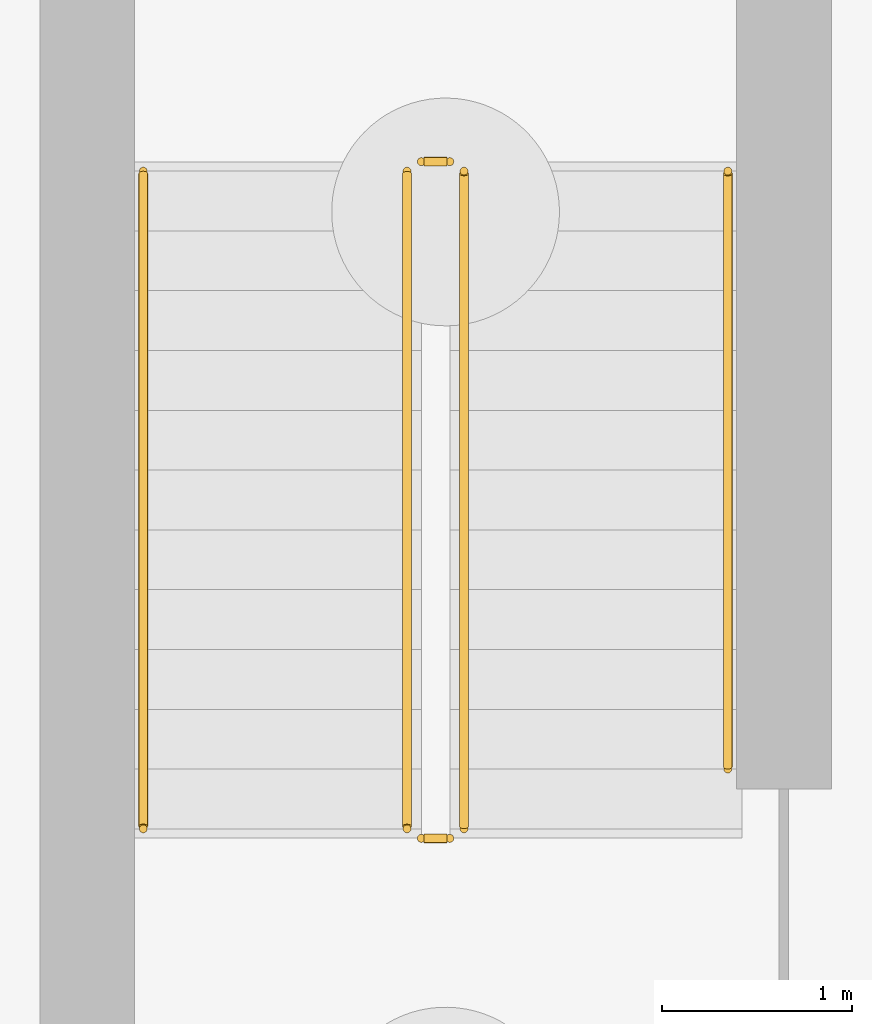
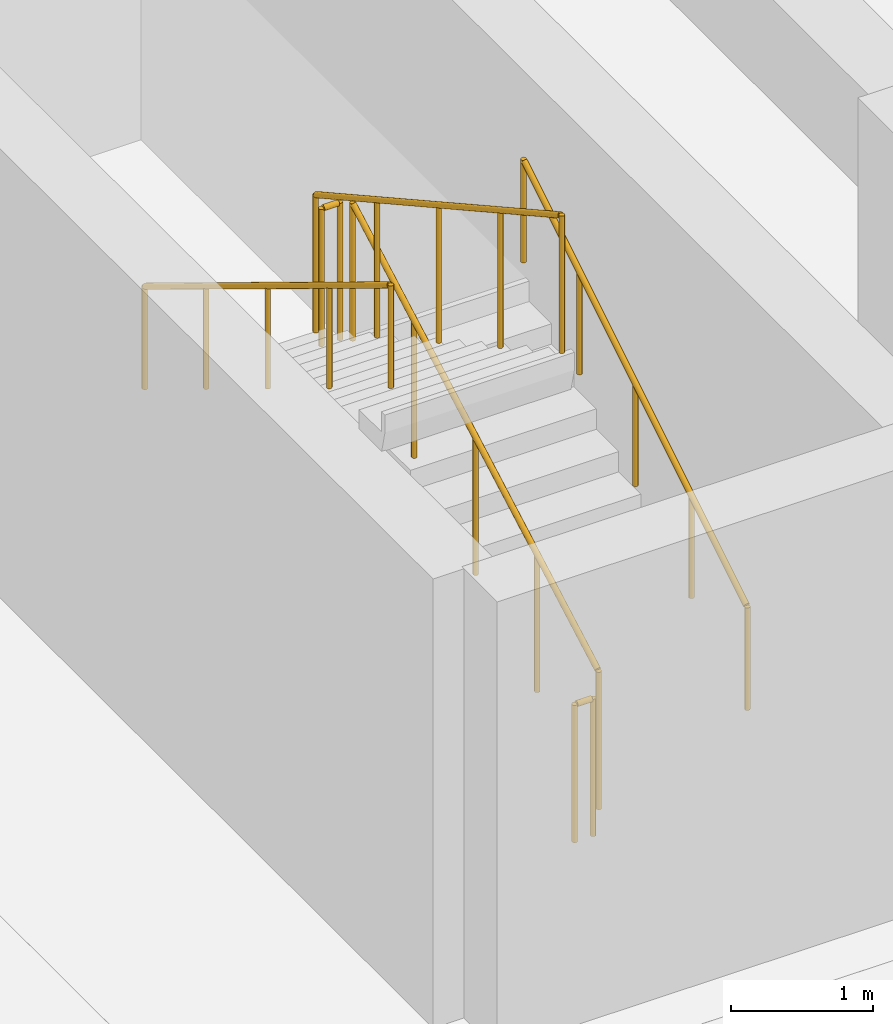
# One storey, part 39 of 39: 6 railings.
"""IFC4 building model written with IfcOpenShell, lengths in metres."""

from ifc_helpers import new_model, si_unit, direction, frame, origin, origin_2d, place, context, subcontext, project, spatial, circle, extrude, material, type_object, element, save


model = new_model("IFC4")

# Units and contexts
model_context = context("Model", 3, precision=1e-05, world=origin(), true_north=direction((0.0, 1.0)))
body_context = subcontext(model_context, "Body", "Model", "MODEL_VIEW")
ifc_project = project(units=[si_unit("LENGTHUNIT", "METRE"), si_unit("AREAUNIT", "SQUARE_METRE"), si_unit("VOLUMEUNIT", "CUBIC_METRE"), si_unit("PLANEANGLEUNIT", "RADIAN"), si_unit("MASSUNIT", "GRAM", prefix="KILO")], contexts=[model_context])

# Site, building, storey
site_placement = place(None, origin())
site = spatial("IfcSite", under=ifc_project, at=site_placement, CompositionType="ELEMENT")
building_placement = place(site_placement, origin())
building = spatial("IfcBuilding", under=site, at=building_placement, Name="Nakhvara Creek Congress Hotel", CompositionType="ELEMENT")
storey_placement = place(building_placement, frame((0.0, 0.0, -8.39990234375)))
storey = spatial("IfcBuildingStorey", under=building, at=storey_placement, Name="B2", CompositionType="ELEMENT", Elevation=-8.39990234375)

# Railings
ifc_material = material(Name="Brushed stainless steel 316L", Category="steel")
railing_type_1 = type_object("IfcRailingType", Name="RL-GUARD-1200", PredefinedType="GUARDRAIL", material=ifc_material)
railing_1_placement = place(storey_placement, frame((158.68505859375, 104.5400390625, 0.1748046875)))
element("IfcRailing", 1, at=railing_1_placement, inside=storey, type_object=railing_type_1, Name="B2 ST02 stair guard 1", PredefinedType="GUARDRAIL", context=body_context, shape_type="SweptSolid", body=[
    extrude(circle(Radius=0.02392578125, at=origin_2d()), frame((0.0, 0.012939453125, 1.18310546875), z_axis=(0.0, 0.874142748832, 0.485669079379), x_axis=(-1.0, 0.0, 0.0)), (0.0, 0.0, 1.0), 3.934326171875),
    extrude(circle(Radius=0.02099609375, at=origin_2d()), origin(), (0.0, 0.0, 1.0), 1.1806640625),
    extrude(circle(Radius=0.02099609375, at=origin_2d()), frame((0.0, 0.8662109375, 0.481201171875)), (0.0, 0.0, 1.0), 1.1806640625),
    extrude(circle(Radius=0.02099609375, at=origin_2d()), frame((0.0, 1.732421875, 0.96240234375)), (0.0, 0.0, 1.0), 1.1806640625),
    extrude(circle(Radius=0.02099609375, at=origin_2d()), frame((0.0, 2.5986328125, 1.44384765625)), (0.0, 0.0, 1.0), 1.1806640625),
    extrude(circle(Radius=0.02099609375, at=origin_2d()), frame((0.0, 3.46484375, 1.925048828125)), (0.0, 0.0, 1.0), 1.1806640625),
])
railing_2_placement = place(storey_placement, frame((158.610107421875, 108.054931640625, 2.099853515625)))
element("IfcRailing", 2, at=railing_2_placement, inside=storey, type_object=railing_type_1, Name="B2 ST02 stair guard 2", PredefinedType="GUARDRAIL", context=body_context, shape_type="SweptSolid", body=[
    extrude(circle(Radius=0.02392578125, at=origin_2d()), frame((-0.0146484375, 0.0, 1.17578125), z_axis=(-1.0, 0.0, 0.0), x_axis=(0.0, -1.0, 0.0)), (0.0, 0.0, 1.0), 0.120849609375),
    extrude(circle(Radius=0.02099609375, at=origin_2d()), origin(), (0.0, 0.0, 1.0), 1.1806640625),
    extrude(circle(Radius=0.02099609375, at=origin_2d()), frame((-0.150146484375, 0.0, 0.0)), (0.0, 0.0, 1.0), 1.1806640625),
])
railing_3_placement = place(storey_placement, frame((158.385009765625, 108.0048828125, 2.27490234375)))
element("IfcRailing", 3, at=railing_3_placement, inside=storey, type_object=railing_type_1, Name="B2 ST02 stair guard 3", PredefinedType="GUARDRAIL", context=body_context, shape_type="SweptSolid", body=[
    extrude(circle(Radius=0.02392578125, at=origin_2d()), frame((0.0, -0.012939453125, 1.18310546875), z_axis=(0.0, -0.874142748832, 0.485669079379), x_axis=(1.0, 0.0, 0.0)), (0.0, 0.0, 1.0), 3.934326171875),
    extrude(circle(Radius=0.02099609375, at=origin_2d()), origin(), (0.0, 0.0, 1.0), 1.1806640625),
    extrude(circle(Radius=0.02099609375, at=origin_2d()), frame((0.0, -0.8662109375, 0.481201171875)), (0.0, 0.0, 1.0), 1.1806640625),
    extrude(circle(Radius=0.02099609375, at=origin_2d()), frame((0.0, -1.732421875, 0.96240234375)), (0.0, 0.0, 1.0), 1.1806640625),
    extrude(circle(Radius=0.02099609375, at=origin_2d()), frame((0.0, -2.5986328125, 1.44384765625)), (0.0, 0.0, 1.0), 1.1806640625),
    extrude(circle(Radius=0.02099609375, at=origin_2d()), frame((0.0, -3.46484375, 1.925048828125)), (0.0, 0.0, 1.0), 1.1806640625),
])
railing_4_placement = place(storey_placement, frame((158.610107421875, 104.489990234375, 0.0)))
element("IfcRailing", 4, at=railing_4_placement, inside=storey, type_object=railing_type_1, Name="B2 ST02 stair guard 4", PredefinedType="GUARDRAIL", context=body_context, shape_type="SweptSolid", body=[
    extrude(circle(Radius=0.02392578125, at=origin_2d()), frame((-0.0146484375, 0.0, 1.17578125), z_axis=(-1.0, 0.0, 0.0), x_axis=(0.0, -1.0, 0.0)), (0.0, 0.0, 1.0), 0.120849609375),
    extrude(circle(Radius=0.02099609375, at=origin_2d()), origin(), (0.0, 0.0, 1.0), 1.1806640625),
    extrude(circle(Radius=0.02099609375, at=origin_2d()), frame((-0.150146484375, 0.0, 0.0)), (0.0, 0.0, 1.0), 1.1806640625),
])
railing_type_2 = type_object("IfcRailingType", Name="RL-HAND-900", PredefinedType="HANDRAIL", material=ifc_material)
railing_5_placement = place(storey_placement, frame((160.074951171875, 104.85498046875, 0.349853515625)))
element("IfcRailing", 5, at=railing_5_placement, inside=storey, type_object=railing_type_2, Name="B2 ST02 stair handrail 1", PredefinedType="HANDRAIL", context=body_context, shape_type="SweptSolid", body=[
    extrude(circle(Radius=0.02392578125, at=origin_2d()), frame((0.0, 0.012451171875, 0.883544921875), z_axis=(0.0, 0.85194385619, 0.523633140567), x_axis=(-1.0, 0.0, 0.0)), (0.0, 0.0, 1.0), 3.66796875),
    extrude(circle(Radius=0.02099609375, at=origin_2d()), origin(), (0.0, 0.0, 1.0), 0.880615234375),
    extrude(circle(Radius=0.02099609375, at=origin_2d()), frame((0.0, 0.78759765625, 0.48388671875)), (0.0, 0.0, 1.0), 0.880615234375),
    extrude(circle(Radius=0.02099609375, at=origin_2d()), frame((0.0, 1.574951171875, 0.968017578125)), (0.0, 0.0, 1.0), 0.880615234375),
    extrude(circle(Radius=0.02099609375, at=origin_2d()), frame((0.0, 2.3623046875, 1.4521484375)), (0.0, 0.0, 1.0), 0.880615234375),
    extrude(circle(Radius=0.02099609375, at=origin_2d()), frame((0.0, 3.14990234375, 1.93603515625)), (0.0, 0.0, 1.0), 0.880615234375),
])
railing_6_placement = place(storey_placement, frame((156.9951171875, 108.0048828125, 2.27490234375)))
element("IfcRailing", 6, at=railing_6_placement, inside=storey, type_object=railing_type_2, Name="B2 ST02 stair handrail 2", PredefinedType="HANDRAIL", context=body_context, shape_type="SweptSolid", body=[
    extrude(circle(Radius=0.02392578125, at=origin_2d()), frame((0.0, -0.012451171875, 0.883544921875), z_axis=(0.0, -0.853974217878, 0.520315322857), x_axis=(1.0, 0.0, 0.0)), (0.0, 0.0, 1.0), 4.02783203125),
    extrude(circle(Radius=0.02099609375, at=origin_2d()), origin(), (0.0, 0.0, 1.0), 0.880615234375),
    extrude(circle(Radius=0.02099609375, at=origin_2d()), frame((0.0, -0.8662109375, 0.52783203125)), (0.0, 0.0, 1.0), 0.880615234375),
    extrude(circle(Radius=0.02099609375, at=origin_2d()), frame((0.0, -1.732421875, 1.0556640625)), (0.0, 0.0, 1.0), 0.880615234375),
    extrude(circle(Radius=0.02099609375, at=origin_2d()), frame((0.0, -2.5986328125, 1.583251953125)), (0.0, 0.0, 1.0), 0.880615234375),
    extrude(circle(Radius=0.02099609375, at=origin_2d()), frame((0.0, -3.46484375, 2.111083984375)), (0.0, 0.0, 1.0), 0.880615234375),
])

save(model, "model.ifc")
